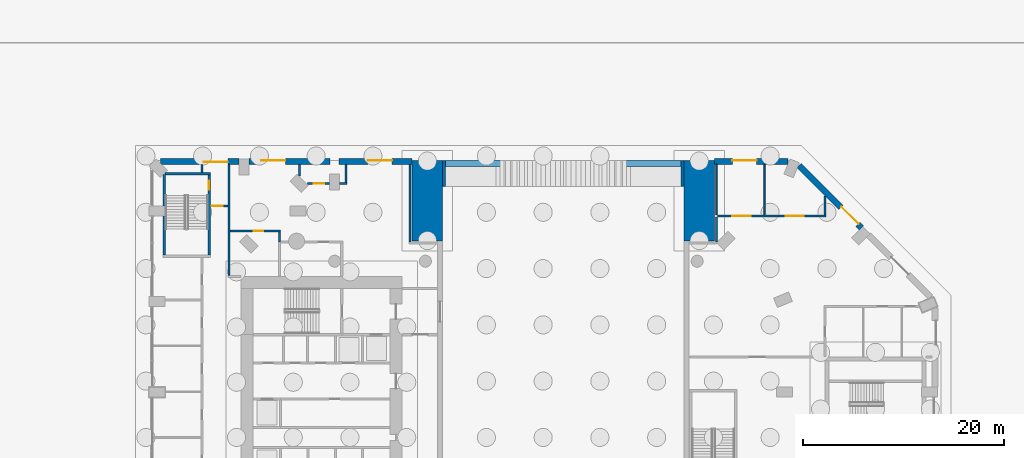
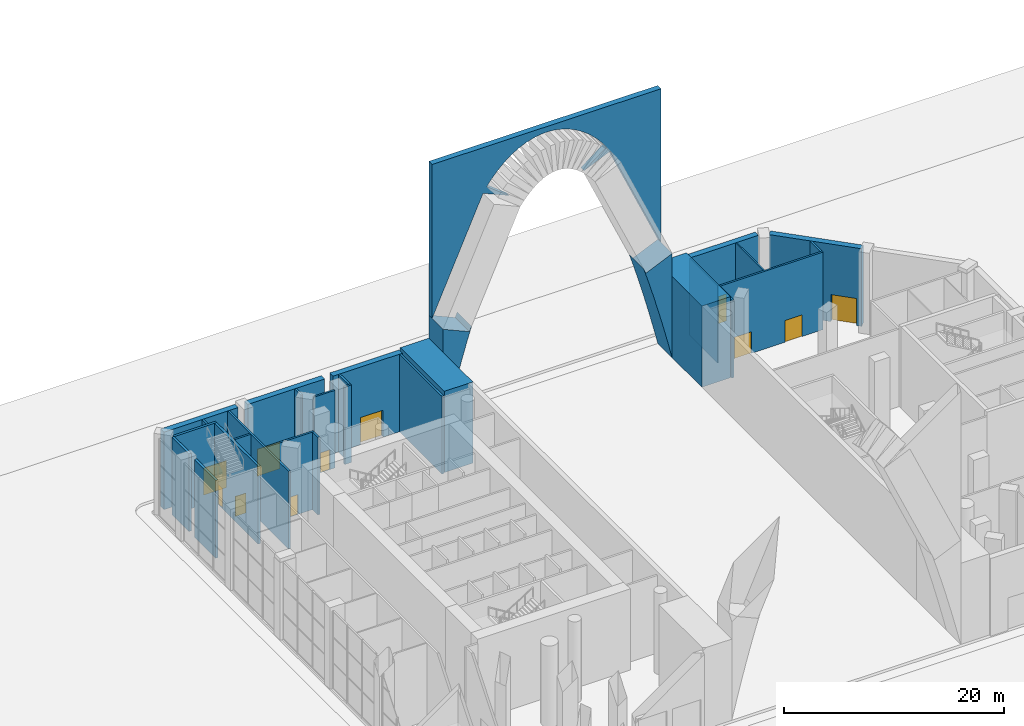
# One storey, part 14 of 25: 29 walls, 11 doors, 11 openings.
"""IFC4 building model written with IfcOpenShell, lengths in metres."""

from ifc_helpers import new_model, si_unit, direction, frame, frame_2d, origin, place, context, subcontext, project, spatial, polyline, rectangle, outline, extrude, material, layer, layer_set, type_object, element, fill, save


model = new_model("IFC4")

# Units and contexts
model_context = context("Model", 3, precision=1e-05, world=origin(), true_north=direction((0.0, 1.0)))
body_context = subcontext(model_context, "Body", "Model", "MODEL_VIEW")
ifc_project = project(units=[si_unit("LENGTHUNIT", "METRE"), si_unit("AREAUNIT", "SQUARE_METRE"), si_unit("VOLUMEUNIT", "CUBIC_METRE"), si_unit("PLANEANGLEUNIT", "RADIAN"), si_unit("MASSUNIT", "GRAM", prefix="KILO")], contexts=[model_context])

# Site, building, storey
site_placement = place(None, origin())
site = spatial("IfcSite", under=ifc_project, at=site_placement, CompositionType="ELEMENT")
building_placement = place(site_placement, origin())
building = spatial("IfcBuilding", under=site, at=building_placement, Name="Cypress Arch Tower", CompositionType="ELEMENT")
storey_placement = place(building_placement, origin())
storey = spatial("IfcBuildingStorey", under=building, at=storey_placement, Name="L00", CompositionType="ELEMENT", Elevation=0.0)

# Walls
ifc_material_1 = material(Name="Concrete C40/50", Category="concrete")
ifc_layer_1 = layer(ifc_material_1, 0.60009765625)
ifc_layer_set_1 = layer_set([ifc_layer_1], Name="Arch spandrel wall 600 Concrete C40/50")
wall_type_1 = type_object("IfcWallType", Name="Arch spandrel wall 600 Concrete C40/50", PredefinedType="SOLIDWALL", material=ifc_layer_set_1)
wall_1_placement = place(storey_placement, frame((-10.0, 27.199951171875, 0.0), z_axis=(0.0, 0.0, 1.0), x_axis=(1.0, 0.0, 0.0)))
element("IfcWall", 1, at=wall_1_placement, inside=storey, type_object=wall_type_1, Name="Gate arch spandrel wall N", PredefinedType="SOLIDWALL", context=body_context, shape_type="SweptSolid", body=[
    extrude(outline(polyline([(24.0, 11.55322265625), (18.6611328125, 23.54345703125), (15.9189453125, 22.32568359375), (18.263916015625, 24.130859375), (17.8818359375, 24.696044921875), (17.248046875, 25.42236328125), (16.574951171875, 26.079345703125), (16.34521484375, 26.27783203125), (15.850341796875, 26.6640625), (15.061279296875, 27.167236328125), (14.19775390625, 27.572509765625), (13.2587890625, 27.853759765625), (12.75732421875, 27.93994140625), (12.26171875, 27.98291015625), (11.73828125, 27.98291015625), (11.24267578125, 27.93994140625), (10.7412109375, 27.853759765625), (9.80224609375, 27.572509765625), (8.938720703125, 27.167236328125), (8.149658203125, 26.6640625), (7.65478515625, 26.27783203125), (7.425048828125, 26.079345703125), (6.751953125, 25.42236328125), (6.1181640625, 24.696044921875), (5.736083984375, 24.130859375), (8.0810546875, 22.32568359375), (5.3388671875, 23.54345703125), (0.0, 11.55322265625), (0.0, 28.60009765625), (24.0, 28.60009765625), (24.0, 11.55322265625)])), frame((0.0, 0.300048828125, 0.0), z_axis=(0.0, -1.0, 0.0), x_axis=(1.0, 0.0, 0.0)), (0.0, 0.0, 1.0), 0.60009765625),
])
ifc_material_2 = material(Name="Concrete C80/95", Category="concrete")
ifc_layer_2 = layer(ifc_material_2, 2.60009765625)
ifc_layer_set_2 = layer_set([ifc_layer_2], Name="Arch springer wall 2600 Concrete C80/95")
wall_type_2 = type_object("IfcWallType", Name="Arch springer wall 2600 Concrete C80/95", PredefinedType="SOLIDWALL", material=ifc_layer_set_2)
wall_2_placement = place(storey_placement, frame((-10.0, 26.199951171875, 0.0), z_axis=(0.0, 0.0, 1.0), x_axis=(1.0, 0.0, 0.0)))
element("IfcWall", 2, at=wall_2_placement, inside=storey, type_object=wall_type_2, Name="Gate arch springer wall NW", PredefinedType="SOLIDWALL", context=body_context, shape_type="SweptSolid", body=[
    extrude(outline(polyline([(2.5, 9.33154296875), (2.0, 7.638916015625), (1.5, 5.859375), (1.0, 3.9931640625), (0.5, 2.0400390625), (0.0, 0.0), (0.0, 11.55322265625), (2.740478515625, 10.3330078125), (2.977294921875, 10.864501953125), (2.5, 9.33154296875)])), frame((0.0, 1.300048828125, 0.0), z_axis=(0.0, -1.0, 0.0), x_axis=(1.0, 0.0, 0.0)), (0.0, 0.0, 1.0), 2.60009765625),
])
wall_3_placement = place(storey_placement, frame((-10.0, 26.199951171875, 0.0), z_axis=(0.0, 0.0, 1.0), x_axis=(1.0, 0.0, 0.0)))
element("IfcWall", 3, at=wall_3_placement, inside=storey, type_object=wall_type_2, Name="Gate arch springer wall NE", PredefinedType="SOLIDWALL", context=body_context, shape_type="SweptSolid", body=[
    extrude(outline(polyline([(24.0, 0.0), (23.5, 2.0400390625), (23.0, 3.9931640625), (22.5, 5.859375), (22.0, 7.638916015625), (21.5, 9.33154296875), (21.022705078125, 10.864501953125), (21.259521484375, 10.3330078125), (24.0, 11.55322265625), (24.0, 0.0)])), frame((0.0, 1.300048828125, 0.0), z_axis=(0.0, -1.0, 0.0), x_axis=(1.0, 0.0, 0.0)), (0.0, 0.0, 1.0), 2.60009765625),
])

# Wall, opening, door
ifc_material_3 = material(Name="Brick (red buff blend) on blockwork backing", Category="masonry")
ifc_layer_3 = layer(ifc_material_3, 0.60009765625)
ifc_layer_set_3 = layer_set([ifc_layer_3], Name="Brick base wall BW600")
wall_type_3 = type_object("IfcWallType", Name="Brick base wall BW600", PredefinedType="ELEMENTEDWALL", material=ifc_layer_set_3)
wall_4_placement = place(storey_placement, frame((31.593505859375, 20.800537109375, 0.0), z_axis=(0.0, 0.0, 1.0), x_axis=(-0.707120757424, 0.707092804673, 0.0)))
wall_4 = element("IfcWall", 4, at=wall_4_placement, inside=storey, type_object=wall_type_3, Name="Brick wall L00 P02.1", PredefinedType="ELEMENTEDWALL", context=body_context, shape_type="SweptSolid", body=[
    extrude(rectangle(XDim=8.734130859375, YDim=0.60009765625, at=frame_2d((4.3671875, 0.0))), origin(), (0.0, 0.0, 1.0), 8.60009765625),
])
opening_1_placement = place(wall_4_placement, frame((0.491943359375, 0.0, 0.0)))
opening_1 = element("IfcOpeningElement", 5, at=opening_1_placement, cuts=wall_4, Name="Opening DE2400", PredefinedType="OPENING", context=body_context, shape_type="SweptSolid", body=[
    extrude(rectangle(XDim=2.39990234375, YDim=3.0, at=frame_2d((1.199951171875, 1.5))), frame((0.0, 0.31005859375, 0.0), z_axis=(0.0, -1.0, 0.0), x_axis=(1.0, 0.0, 0.0)), (0.0, 0.0, 1.0), 0.6201171875),
])
ifc_material_4 = material(Name="Anodised aluminium, bronze finish, clear low-emissivity double glazing", Category="aluminium")
door_type_1 = type_object("IfcDoorType", Name="Entrance door double 2400x3000", OperationType="DOUBLE_DOOR_SINGLE_SWING", PredefinedType="DOOR", material=ifc_material_4)
door_1_placement = place(opening_1_placement, origin())
door_1 = element("IfcDoor", 6, at=door_1_placement, inside=storey, type_object=door_type_1, Name="Exterior door L00 P02.1.1", OperationType="DOUBLE_DOOR_SINGLE_SWING", OverallHeight=3.0, OverallWidth=2.39990234375, PredefinedType="DOOR", context=body_context, shape_type="SweptSolid", body=[
    extrude(rectangle(XDim=2.39990234375, YDim=3.0, at=frame_2d((1.199951171875, 1.5))), frame((0.0, -0.0498046875, 0.0), z_axis=(0.0, -1.0, 0.0), x_axis=(1.0, 0.0, 0.0)), (0.0, 0.0, 1.0), 0.050048828125),
])
fill(opening_1, door_1)

wall_5_placement = place(storey_placement, frame((24.33447265625, 27.425048828125, 0.0), z_axis=(0.0, 0.0, 1.0), x_axis=(-1.0, 0.0, 0.0)))
wall_5 = element("IfcWall", 7, at=wall_5_placement, inside=storey, type_object=wall_type_3, Name="Brick wall L00 P03.0", PredefinedType="ELEMENTEDWALL", context=body_context, shape_type="SweptSolid", body=[
    extrude(rectangle(XDim=7.33447265625, YDim=0.60009765625, at=frame_2d((3.667236328125, 0.0))), origin(), (0.0, 0.0, 1.0), 8.60009765625),
])
opening_2_placement = place(wall_5_placement, frame((3.134521484375, 0.0, 0.0)))
opening_2 = element("IfcOpeningElement", 8, at=opening_2_placement, cuts=wall_5, Name="Opening DE2400", PredefinedType="OPENING", context=body_context, shape_type="SweptSolid", body=[
    extrude(rectangle(XDim=2.39990234375, YDim=3.0, at=frame_2d((1.199951171875, 1.5))), frame((0.0, 0.31005859375, 0.0), z_axis=(0.0, -1.0, 0.0), x_axis=(1.0, 0.0, 0.0)), (0.0, 0.0, 1.0), 0.6201171875),
])
door_2_placement = place(opening_2_placement, origin())
door_2 = element("IfcDoor", 9, at=door_2_placement, inside=storey, type_object=door_type_1, Name="Exterior door L00 P03.0.1", OperationType="DOUBLE_DOOR_SINGLE_SWING", OverallHeight=3.0, OverallWidth=2.39990234375, PredefinedType="DOOR", context=body_context, shape_type="SweptSolid", body=[
    extrude(rectangle(XDim=2.39990234375, YDim=3.0, at=frame_2d((1.199951171875, 1.5))), frame((0.0, -0.0498046875, 0.0), z_axis=(0.0, -1.0, 0.0), x_axis=(1.0, 0.0, 0.0)), (0.0, 0.0, 1.0), 0.050048828125),
])
fill(opening_2, door_2)

wall_6_placement = place(storey_placement, frame((-13.0, 27.425048828125, 0.0), z_axis=(0.0, 0.0, 1.0), x_axis=(-1.0, 0.0, 0.0)))
wall_6 = element("IfcWall", 10, at=wall_6_placement, inside=storey, type_object=wall_type_3, Name="Brick wall L00 P03.0p1", PredefinedType="ELEMENTEDWALL", context=body_context, shape_type="SweptSolid", body=[
    extrude(rectangle(XDim=7.25, YDim=0.60009765625, at=frame_2d((3.625, 0.0))), origin(), (0.0, 0.0, 1.0), 8.60009765625),
])
opening_3_placement = place(wall_6_placement, frame((2.0, 0.0, 0.0)))
opening_3 = element("IfcOpeningElement", 11, at=opening_3_placement, cuts=wall_6, Name="Opening DE2400", PredefinedType="OPENING", context=body_context, shape_type="SweptSolid", body=[
    extrude(rectangle(XDim=2.39990234375, YDim=3.0, at=frame_2d((1.199951171875, 1.5))), frame((0.0, 0.31005859375, 0.0), z_axis=(0.0, -1.0, 0.0), x_axis=(1.0, 0.0, 0.0)), (0.0, 0.0, 1.0), 0.6201171875),
])
door_3_placement = place(opening_3_placement, origin())
door_3 = element("IfcDoor", 12, at=door_3_placement, inside=storey, type_object=door_type_1, Name="Exterior door L00 P03.0p1.1", OperationType="DOUBLE_DOOR_SINGLE_SWING", OverallHeight=3.0, OverallWidth=2.39990234375, PredefinedType="DOOR", context=body_context, shape_type="SweptSolid", body=[
    extrude(rectangle(XDim=2.39990234375, YDim=3.0, at=frame_2d((1.199951171875, 1.5))), frame((0.0, -0.0498046875, 0.0), z_axis=(0.0, -1.0, 0.0), x_axis=(1.0, 0.0, 0.0)), (0.0, 0.0, 1.0), 0.050048828125),
])
fill(opening_3, door_3)

wall_7_placement = place(storey_placement, frame((-21.14990234375, 27.425048828125, 0.0), z_axis=(0.0, 0.0, 1.0), x_axis=(-1.0, 0.0, 0.0)))
wall_7 = element("IfcWall", 13, at=wall_7_placement, inside=storey, type_object=wall_type_3, Name="Brick wall L00 P03.1", PredefinedType="ELEMENTEDWALL", context=body_context, shape_type="SweptSolid", body=[
    extrude(rectangle(XDim=8.050048828125, YDim=0.60009765625, at=frame_2d((4.02490234375, 0.0))), origin(), (0.0, 0.0, 1.0), 8.60009765625),
])
opening_4_placement = place(wall_7_placement, frame((4.449951171875, 0.0, 0.0)))
opening_4 = element("IfcOpeningElement", 14, at=opening_4_placement, cuts=wall_7, Name="Opening DE2400", PredefinedType="OPENING", context=body_context, shape_type="SweptSolid", body=[
    extrude(rectangle(XDim=2.39990234375, YDim=3.0, at=frame_2d((1.199951171875, 1.5))), frame((0.0, 0.31005859375, 0.0), z_axis=(0.0, -1.0, 0.0), x_axis=(1.0, 0.0, 0.0)), (0.0, 0.0, 1.0), 0.6201171875),
])
door_4_placement = place(opening_4_placement, origin())
door_4 = element("IfcDoor", 15, at=door_4_placement, inside=storey, type_object=door_type_1, Name="Exterior door L00 P03.1.1", OperationType="DOUBLE_DOOR_SINGLE_SWING", OverallHeight=3.0, OverallWidth=2.39990234375, PredefinedType="DOOR", context=body_context, shape_type="SweptSolid", body=[
    extrude(rectangle(XDim=2.39990234375, YDim=3.0, at=frame_2d((1.199951171875, 1.5))), frame((0.0, -0.0498046875, 0.0), z_axis=(0.0, -1.0, 0.0), x_axis=(1.0, 0.0, 0.0)), (0.0, 0.0, 1.0), 0.050048828125),
])
fill(opening_4, door_4)

wall_8_placement = place(storey_placement, frame((-37.992919921875, 27.425048828125, 0.0), z_axis=(0.0, 0.0, 1.0), x_axis=(1.0, 0.0, 0.0)))
wall_8 = element("IfcWall", 16, at=wall_8_placement, inside=storey, type_object=wall_type_3, Name="Brick wall L00 P03.2", PredefinedType="ELEMENTEDWALL", context=body_context, shape_type="SweptSolid", body=[
    extrude(rectangle(XDim=7.79296875, YDim=0.60009765625, at=frame_2d((3.896484375, 0.0))), origin(), (0.0, 0.0, 1.0), 8.60009765625),
])
opening_5_placement = place(wall_8_placement, frame((4.29296875, 0.0, 0.0)))
opening_5 = element("IfcOpeningElement", 17, at=opening_5_placement, cuts=wall_8, Name="Opening DE2400", PredefinedType="OPENING", context=body_context, shape_type="SweptSolid", body=[
    extrude(rectangle(XDim=2.39990234375, YDim=3.0, at=frame_2d((1.199951171875, 1.5))), frame((0.0, 0.31005859375, 0.0), z_axis=(0.0, -1.0, 0.0), x_axis=(1.0, 0.0, 0.0)), (0.0, 0.0, 1.0), 0.6201171875),
])
door_5_placement = place(opening_5_placement, origin())
door_5 = element("IfcDoor", 18, at=door_5_placement, inside=storey, type_object=door_type_1, Name="Exterior door L00 P03.2.1", OperationType="DOUBLE_DOOR_SINGLE_SWING", OverallHeight=3.0, OverallWidth=2.39990234375, PredefinedType="DOOR", context=body_context, shape_type="SweptSolid", body=[
    extrude(rectangle(XDim=2.39990234375, YDim=3.0, at=frame_2d((1.199951171875, 1.5))), frame((0.0, -0.0498046875, 0.0), z_axis=(0.0, -1.0, 0.0), x_axis=(1.0, 0.0, 0.0)), (0.0, 0.0, 1.0), 0.050048828125),
])
fill(opening_5, door_5)

# Wall
ifc_material_5 = material(Name="Concrete blockwork, plastered, rated", Category="masonry")
ifc_layer_4 = layer(ifc_material_5, 0.199951171875)
ifc_layer_set_4 = layer_set([ifc_layer_4], Name="Corridor wall FW200")
wall_type_4 = type_object("IfcWallType", Name="Corridor wall FW200", PredefinedType="PARTITIONING", material=ifc_layer_set_4)
wall_9_placement = place(storey_placement, frame((-33.89990234375, 26.300048828125, 0.0), z_axis=(0.0, 0.0, 1.0), x_axis=(0.0, 1.0, 0.0)))
element("IfcWall", 19, at=wall_9_placement, inside=storey, type_object=wall_type_4, Name="Corridor wall", PredefinedType="PARTITIONING", context=body_context, shape_type="SweptSolid", body=[
    extrude(rectangle(XDim=0.824951171875, YDim=0.199951171875, at=frame_2d((0.41259765625, 0.0))), origin(), (0.0, 0.0, 1.0), 8.597900390625),
])

# Wall, opening, door
wall_10_placement = place(storey_placement, frame((-33.050048828125, 23.0, 0.0), z_axis=(0.0, 0.0, 1.0), x_axis=(1.0, 0.0, 0.0)))
wall_10 = element("IfcWall", 20, at=wall_10_placement, inside=storey, type_object=wall_type_4, Name="Corridor wall", PredefinedType="PARTITIONING", context=body_context, shape_type="SweptSolid", body=[
    extrude(rectangle(XDim=1.75, YDim=0.199951171875, at=frame_2d((0.875, 0.0))), origin(), (0.0, 0.0, 1.0), 8.597900390625),
])
opening_6_placement = place(wall_10_placement, frame((0.14990234375, 0.0, 0.0)))
opening_6 = element("IfcOpeningElement", 21, at=opening_6_placement, cuts=wall_10, Name="Opening D06", PredefinedType="OPENING", context=body_context, shape_type="SweptSolid", body=[
    extrude(rectangle(XDim=1.10009765625, YDim=2.199951171875, at=frame_2d((0.550048828125, 1.10009765625))), frame((0.0, 0.10986328125, 0.0), z_axis=(0.0, -1.0, 0.0), x_axis=(1.0, 0.0, 0.0)), (0.0, 0.0, 1.0), 0.219970703125),
])
ifc_material_6 = material(Name="Steel door, fire resisting, panic bar", Category="steel")
door_type_2 = type_object("IfcDoorType", Name="Stair door D06 1100x2200", OperationType="SINGLE_SWING_LEFT", PredefinedType="DOOR", material=ifc_material_6)
door_6_placement = place(opening_6_placement, origin())
door_6 = element("IfcDoor", 22, at=door_6_placement, inside=storey, type_object=door_type_2, Name="Stair door", OperationType="SINGLE_SWING_RIGHT", OverallHeight=2.199951171875, OverallWidth=1.10009765625, PredefinedType="DOOR", context=body_context, shape_type="SweptSolid", body=[
    extrude(rectangle(XDim=1.10009765625, YDim=2.199951171875, at=frame_2d((0.550048828125, 1.10009765625))), frame((0.0, 0.02490234375, 0.0), z_axis=(0.0, -1.0, 0.0), x_axis=(1.0, 0.0, 0.0)), (0.0, 0.0, 1.0), 0.050048828125),
])
fill(opening_6, door_6)

# Wall
wall_11_placement = place(storey_placement, frame((-31.199951171875, 16.10009765625, 0.0), z_axis=(0.0, 0.0, 1.0), x_axis=(0.0, 1.0, 0.0)))
element("IfcWall", 23, at=wall_11_placement, inside=storey, type_object=wall_type_4, Name="Corridor wall", PredefinedType="PARTITIONING", context=body_context, shape_type="SweptSolid", body=[
    extrude(rectangle(XDim=11.02490234375, YDim=0.199951171875, at=frame_2d((5.512451171875, 0.0))), origin(), (0.0, 0.0, 1.0), 8.597900390625),
])

# Wall, opening, door
wall_12_placement = place(storey_placement, frame((-31.10009765625, 20.5, 0.0), z_axis=(0.0, 0.0, 1.0), x_axis=(1.0, 0.0, 0.0)))
wall_12 = element("IfcWall", 24, at=wall_12_placement, inside=storey, type_object=wall_type_4, Name="Corridor wall", PredefinedType="PARTITIONING", context=body_context, shape_type="SweptSolid", body=[
    extrude(rectangle(XDim=5.0, YDim=0.199951171875, at=frame_2d((2.5, 0.0))), origin(), (0.0, 0.0, 1.0), 8.597900390625),
])
opening_7_placement = place(wall_12_placement, frame((2.35009765625, 0.0, 0.0)))
opening_7 = element("IfcOpeningElement", 25, at=opening_7_placement, cuts=wall_12, Name="Opening D02", PredefinedType="OPENING", context=body_context, shape_type="SweptSolid", body=[
    extrude(rectangle(XDim=0.949951171875, YDim=2.199951171875, at=frame_2d((0.47509765625, 1.10009765625))), frame((0.0, 0.10986328125, 0.0), z_axis=(0.0, -1.0, 0.0), x_axis=(1.0, 0.0, 0.0)), (0.0, 0.0, 1.0), 0.219970703125),
])
ifc_material_7 = material(Name="Timber flush door, fire resisting", Category="wood")
door_type_3 = type_object("IfcDoorType", Name="Room door D02 950x2200", OperationType="SINGLE_SWING_LEFT", PredefinedType="DOOR", material=ifc_material_7)
door_7_placement = place(opening_7_placement, origin())
door_7 = element("IfcDoor", 26, at=door_7_placement, inside=storey, type_object=door_type_3, Name="Room door", OperationType="SINGLE_SWING_LEFT", OverallHeight=2.199951171875, OverallWidth=0.949951171875, PredefinedType="DOOR", context=body_context, shape_type="SweptSolid", body=[
    extrude(rectangle(XDim=0.949951171875, YDim=2.199951171875, at=frame_2d((0.47509765625, 1.10009765625))), frame((0.0, 0.02490234375, 0.0), z_axis=(0.0, -1.0, 0.0), x_axis=(1.0, 0.0, 0.0)), (0.0, 0.0, 1.0), 0.050048828125),
])
fill(opening_7, door_7)

# Walls
wall_13_placement = place(storey_placement, frame((-26.199951171875, 19.419921875, 0.0), z_axis=(0.0, 0.0, 1.0), x_axis=(0.0, 1.0, 0.0)))
element("IfcWall", 27, at=wall_13_placement, inside=storey, type_object=wall_type_4, Name="Corridor wall", PredefinedType="PARTITIONING", context=body_context, shape_type="SweptSolid", body=[
    extrude(rectangle(XDim=0.97998046875, YDim=0.199951171875, at=frame_2d((0.489990234375, 0.0))), origin(), (0.0, 0.0, 1.0), 8.597900390625),
])
wall_14_placement = place(storey_placement, frame((-24.199951171875, 25.987060546875, 0.0), z_axis=(0.0, 0.0, 1.0), x_axis=(0.0, 1.0, 0.0)))
element("IfcWall", 28, at=wall_14_placement, inside=storey, type_object=wall_type_4, Name="Corridor wall", PredefinedType="PARTITIONING", context=body_context, shape_type="SweptSolid", body=[
    extrude(rectangle(XDim=1.137939453125, YDim=0.199951171875, at=frame_2d((0.56884765625, 0.0))), origin(), (0.0, 0.0, 1.0), 8.597900390625),
])

# Wall, opening, door
wall_15_placement = place(storey_placement, frame((-23.412841796875, 25.199951171875, 0.0), z_axis=(0.0, 0.0, 1.0), x_axis=(1.0, 0.0, 0.0)))
wall_15 = element("IfcWall", 29, at=wall_15_placement, inside=storey, type_object=wall_type_4, Name="Corridor wall", PredefinedType="PARTITIONING", context=body_context, shape_type="SweptSolid", body=[
    extrude(rectangle(XDim=2.212890625, YDim=0.199951171875, at=frame_2d((1.1064453125, 0.0))), origin(), (0.0, 0.0, 1.0), 8.597900390625),
])
opening_8_placement = place(wall_15_placement, frame((0.64990234375, 0.0, 0.0)))
opening_8 = element("IfcOpeningElement", 30, at=opening_8_placement, cuts=wall_15, Name="Opening D14", PredefinedType="OPENING", context=body_context, shape_type="SweptSolid", body=[
    extrude(rectangle(XDim=1.0, YDim=2.199951171875, at=frame_2d((0.5, 1.10009765625))), frame((0.0, 0.10986328125, 0.0), z_axis=(0.0, -1.0, 0.0), x_axis=(1.0, 0.0, 0.0)), (0.0, 0.0, 1.0), 0.219970703125),
])
ifc_material_8 = material(Name="Timber flush door, fire resisting", Category="wood")
door_type_4 = type_object("IfcDoorType", Name="Room door D14 1000x2200", OperationType="SINGLE_SWING_LEFT", PredefinedType="DOOR", material=ifc_material_8)
door_8_placement = place(opening_8_placement, origin())
door_8 = element("IfcDoor", 31, at=door_8_placement, inside=storey, type_object=door_type_4, Name="Room door", OperationType="SINGLE_SWING_RIGHT", OverallHeight=2.199951171875, OverallWidth=1.0, PredefinedType="DOOR", context=body_context, shape_type="SweptSolid", body=[
    extrude(rectangle(XDim=1.0, YDim=2.199951171875, at=frame_2d((0.5, 1.10009765625))), frame((0.0, 0.02490234375, 0.0), z_axis=(0.0, -1.0, 0.0), x_axis=(1.0, 0.0, 0.0)), (0.0, 0.0, 1.0), 0.050048828125),
])
fill(opening_8, door_8)

# Walls
wall_16_placement = place(storey_placement, frame((-20.199951171875, 25.199951171875, 0.0), z_axis=(0.0, 0.0, 1.0), x_axis=(1.0, 0.0, 0.0)))
element("IfcWall", 32, at=wall_16_placement, inside=storey, type_object=wall_type_4, Name="Corridor wall", PredefinedType="PARTITIONING", context=body_context, shape_type="SweptSolid", body=[
    extrude(rectangle(XDim=0.699951171875, YDim=0.199951171875, at=frame_2d((0.35009765625, 0.0))), origin(), (0.0, 0.0, 1.0), 8.597900390625),
])
wall_17_placement = place(storey_placement, frame((-19.60009765625, 25.300048828125, 0.0), z_axis=(0.0, 0.0, 1.0), x_axis=(0.0, 1.0, 0.0)))
element("IfcWall", 33, at=wall_17_placement, inside=storey, type_object=wall_type_4, Name="Corridor wall", PredefinedType="PARTITIONING", context=body_context, shape_type="SweptSolid", body=[
    extrude(rectangle(XDim=1.824951171875, YDim=0.199951171875, at=frame_2d((0.91259765625, 0.0))), origin(), (0.0, 0.0, 1.0), 8.597900390625),
])
wall_18_placement = place(storey_placement, frame((-13.199951171875, 19.40087890625, 0.0), z_axis=(0.0, 0.0, 1.0), x_axis=(0.0, 1.0, 0.0)))
element("IfcWall", 34, at=wall_18_placement, inside=storey, type_object=wall_type_4, Name="Corridor wall", PredefinedType="PARTITIONING", context=body_context, shape_type="SweptSolid", body=[
    extrude(rectangle(XDim=7.72412109375, YDim=0.199951171875, at=frame_2d((3.862060546875, 0.0))), origin(), (0.0, 0.0, 1.0), 8.597900390625),
])
wall_19_placement = place(storey_placement, frame((17.199951171875, 19.39990234375, 0.0), z_axis=(0.0, 0.0, 1.0), x_axis=(0.0, 1.0, 0.0)))
element("IfcWall", 35, at=wall_19_placement, inside=storey, type_object=wall_type_4, Name="Corridor wall", PredefinedType="PARTITIONING", context=body_context, shape_type="SweptSolid", body=[
    extrude(rectangle(XDim=2.47998046875, YDim=0.199951171875, at=frame_2d((1.239990234375, 0.0))), origin(), (0.0, 0.0, 1.0), 8.597900390625),
])

# Wall, openings, doors
wall_20_placement = place(storey_placement, frame((17.300048828125, 22.0, 0.0), z_axis=(0.0, 0.0, 1.0), x_axis=(1.0, 0.0, 0.0)))
wall_20 = element("IfcWall", 36, at=wall_20_placement, inside=storey, type_object=wall_type_4, Name="Corridor wall", PredefinedType="PARTITIONING", context=body_context, shape_type="SweptSolid", body=[
    extrude(rectangle(XDim=10.800048828125, YDim=0.199951171875, at=frame_2d((5.39990234375, 0.0))), origin(), (0.0, 0.0, 1.0), 8.597900390625),
])
opening_9_placement = place(wall_20_placement, frame((1.5, 0.0, 0.0)))
opening_9 = element("IfcOpeningElement", 37, at=opening_9_placement, cuts=wall_20, Name="Opening D11", PredefinedType="OPENING", context=body_context, shape_type="SweptSolid", body=[
    extrude(rectangle(XDim=1.800048828125, YDim=2.39990234375, at=frame_2d((0.89990234375, 1.199951171875))), frame((0.0, 0.10986328125, 0.0), z_axis=(0.0, -1.0, 0.0), x_axis=(1.0, 0.0, 0.0)), (0.0, 0.0, 1.0), 0.219970703125),
])
opening_10_placement = place(wall_20_placement, frame((6.800048828125, 0.0, 0.0)))
opening_10 = element("IfcOpeningElement", 38, at=opening_10_placement, cuts=wall_20, Name="Opening D11", PredefinedType="OPENING", context=body_context, shape_type="SweptSolid", body=[
    extrude(rectangle(XDim=1.800048828125, YDim=2.39990234375, at=frame_2d((0.89990234375, 1.199951171875))), frame((0.0, 0.10986328125, 0.0), z_axis=(0.0, -1.0, 0.0), x_axis=(1.0, 0.0, 0.0)), (0.0, 0.0, 1.0), 0.219970703125),
])
ifc_material_9 = material(Name="Glazed aluminium door", Category="aluminium")
door_type_5 = type_object("IfcDoorType", Name="Shopfront door D11 1800x2400", OperationType="DOUBLE_DOOR_SINGLE_SWING", PredefinedType="DOOR", material=ifc_material_9)
door_9_placement = place(opening_9_placement, origin())
door_9 = element("IfcDoor", 39, at=door_9_placement, inside=storey, type_object=door_type_5, Name="Shopfront door", OperationType="DOUBLE_DOOR_SINGLE_SWING", OverallHeight=2.39990234375, OverallWidth=1.800048828125, PredefinedType="DOOR", context=body_context, shape_type="SweptSolid", body=[
    extrude(rectangle(XDim=1.800048828125, YDim=2.39990234375, at=frame_2d((0.89990234375, 1.199951171875))), frame((0.0, 0.02490234375, 0.0), z_axis=(0.0, -1.0, 0.0), x_axis=(1.0, 0.0, 0.0)), (0.0, 0.0, 1.0), 0.050048828125),
])
fill(opening_9, door_9)
door_10_placement = place(opening_10_placement, origin())
door_10 = element("IfcDoor", 40, at=door_10_placement, inside=storey, type_object=door_type_5, Name="Shopfront door", OperationType="DOUBLE_DOOR_SINGLE_SWING", OverallHeight=2.39990234375, OverallWidth=1.800048828125, PredefinedType="DOOR", context=body_context, shape_type="SweptSolid", body=[
    extrude(rectangle(XDim=1.800048828125, YDim=2.39990234375, at=frame_2d((0.89990234375, 1.199951171875))), frame((0.0, 0.02490234375, 0.0), z_axis=(0.0, -1.0, 0.0), x_axis=(1.0, 0.0, 0.0)), (0.0, 0.0, 1.0), 0.050048828125),
])
fill(opening_10, door_10)

# Walls
wall_21_placement = place(storey_placement, frame((28.0, 22.10009765625, 0.0), z_axis=(0.0, 0.0, 1.0), x_axis=(0.0, 1.0, 0.0)))
element("IfcWall", 41, at=wall_21_placement, inside=storey, type_object=wall_type_4, Name="Corridor wall", PredefinedType="PARTITIONING", context=body_context, shape_type="SweptSolid", body=[
    extrude(rectangle(XDim=1.86962890625, YDim=0.199951171875, at=frame_2d((0.934814453125, 0.0))), origin(), (0.0, 0.0, 1.0), 8.597900390625),
])
ifc_material_10 = material(Name="Blockwork, plastered both sides", Category="masonry")
ifc_layer_5 = layer(ifc_material_10, 0.14990234375)
ifc_layer_set_5 = layer_set([ifc_layer_5], Name="Partition PW150")
wall_type_5 = type_object("IfcWallType", Name="Partition PW150", PredefinedType="PARTITIONING", material=ifc_layer_set_5)
wall_22_placement = place(storey_placement, frame((17.199951171875, 22.1201171875, 0.0), z_axis=(0.0, 0.0, 1.0), x_axis=(0.0, 1.0, 0.0)))
element("IfcWall", 42, at=wall_22_placement, inside=storey, type_object=wall_type_5, Name="Partition", PredefinedType="PARTITIONING", context=body_context, shape_type="SweptSolid", body=[
    extrude(rectangle(XDim=5.0048828125, YDim=0.14990234375, at=frame_2d((2.50244140625, 0.0))), origin(), (0.0, 0.0, 1.0), 8.597900390625),
])
wall_23_placement = place(storey_placement, frame((22.0, 22.10009765625, 0.0), z_axis=(0.0, 0.0, 1.0), x_axis=(0.0, 1.0, 0.0)))
element("IfcWall", 43, at=wall_23_placement, inside=storey, type_object=wall_type_5, Name="Partition", PredefinedType="PARTITIONING", context=body_context, shape_type="SweptSolid", body=[
    extrude(rectangle(XDim=5.02490234375, YDim=0.14990234375, at=frame_2d((2.512451171875, 0.0))), origin(), (0.0, 0.0, 1.0), 8.597900390625),
])
ifc_material_11 = material(Name="Concrete C80/95", Category="concrete")
ifc_layer_6 = layer(ifc_material_11, 3.0)
ifc_layer_set_6 = layer_set([ifc_layer_6], Name="Pier wall 3000 Concrete C80/95")
wall_type_6 = type_object("IfcWallType", Name="Pier wall 3000 Concrete C80/95", PredefinedType="SOLIDWALL", material=ifc_layer_set_6)
for number, where, z_axis, x_axis, name in (
    (44, (-11.5, 19.5, 0.0), (0.0, 0.0, 1.0), (0.0, 1.0, 0.0), "Gate pier wall PW-WN L00"),
    (45, (15.5, 19.5, 0.0), (0.0, 0.0, 1.0), (0.0, 1.0, 0.0), "Gate pier wall PW-EN L00"),
):
    element("IfcWall", number, at=place(storey_placement, frame(where, z_axis=z_axis, x_axis=x_axis)), inside=storey, type_object=wall_type_6, Name=name, PredefinedType="SOLIDWALL", context=body_context, shape_type="SweptSolid", body=[
        extrude(rectangle(XDim=8.0, YDim=3.0, at=frame_2d((4.0, 0.0))), origin(), (0.0, 0.0, 1.0), 9.0),
    ])
ifc_material_12 = material(Name="Concrete C50/60", Category="concrete")
ifc_layer_7 = layer(ifc_material_12, 0.25)
ifc_layer_set_7 = layer_set([ifc_layer_7], Name="Stair enclosure wall SW250")
wall_type_7 = type_object("IfcWallType", Name="Stair enclosure wall SW250", PredefinedType="SHEAR", material=ifc_layer_set_7)
wall_24_placement = place(storey_placement, frame((-37.625, 18.1298828125, 0.0), z_axis=(0.0, 0.0, 1.0), x_axis=(0.0, 1.0, 0.0)))
element("IfcWall", 46, at=wall_24_placement, inside=storey, type_object=wall_type_7, Name="Stair enclosure wall", PredefinedType="SHEAR", context=body_context, shape_type="SweptSolid", body=[
    extrude(rectangle(XDim=3.8701171875, YDim=0.25, at=frame_2d((1.93505859375, 0.0))), origin(), (0.0, 0.0, 1.0), 8.60009765625),
])
wall_25_placement = place(storey_placement, frame((-37.625, 23.0, 0.0), z_axis=(0.0, 0.0, 1.0), x_axis=(0.0, 1.0, 0.0)))
element("IfcWall", 47, at=wall_25_placement, inside=storey, type_object=wall_type_7, Name="Stair enclosure wall", PredefinedType="SHEAR", context=body_context, shape_type="SweptSolid", body=[
    extrude(rectangle(XDim=3.09521484375, YDim=0.25, at=frame_2d((1.547607421875, 0.0))), origin(), (0.0, 0.0, 1.0), 8.60009765625),
])
wall_26_placement = place(storey_placement, frame((-37.545166015625, 26.175048828125, 0.0), z_axis=(0.0, 0.0, 1.0), x_axis=(1.0, 0.0, 0.0)))
element("IfcWall", 48, at=wall_26_placement, inside=storey, type_object=wall_type_7, Name="Stair enclosure wall", PredefinedType="SHEAR", context=body_context, shape_type="SweptSolid", body=[
    extrude(rectangle(XDim=4.4951171875, YDim=0.25, at=frame_2d((2.24755859375, 0.0))), origin(), (0.0, 0.0, 1.0), 8.60009765625),
])

# Wall, opening, door
wall_27_placement = place(storey_placement, frame((-33.175048828125, 18.1298828125, 0.0), z_axis=(0.0, 0.0, 1.0), x_axis=(0.0, 1.0, 0.0)))
wall_27 = element("IfcWall", 49, at=wall_27_placement, inside=storey, type_object=wall_type_7, Name="Stair enclosure wall", PredefinedType="SHEAR", context=body_context, shape_type="SweptSolid", body=[
    extrude(rectangle(XDim=7.920166015625, YDim=0.25, at=frame_2d((3.9599609375, 0.0))), origin(), (0.0, 0.0, 1.0), 8.60009765625),
])
opening_11_placement = place(wall_27_placement, frame((6.449951171875, 0.0, 0.0)))
opening_11 = element("IfcOpeningElement", 50, at=opening_11_placement, cuts=wall_27, Name="Opening D15", PredefinedType="OPENING", context=body_context, shape_type="SweptSolid", body=[
    extrude(rectangle(XDim=0.89990234375, YDim=2.199951171875, at=frame_2d((0.449951171875, 1.10009765625))), frame((0.0, 0.135009765625, 0.0), z_axis=(0.0, -1.0, 0.0), x_axis=(1.0, 0.0, 0.0)), (0.0, 0.0, 1.0), 0.27001953125),
])
ifc_material_13 = material(Name="Steel door, fire resisting, panic bar", Category="steel")
door_type_6 = type_object("IfcDoorType", Name="Stair door D15 900x2200", OperationType="SINGLE_SWING_LEFT", PredefinedType="DOOR", material=ifc_material_13)
door_11_placement = place(opening_11_placement, origin())
door_11 = element("IfcDoor", 51, at=door_11_placement, inside=storey, type_object=door_type_6, Name="Stair door", OperationType="SINGLE_SWING_RIGHT", OverallHeight=2.199951171875, OverallWidth=0.89990234375, PredefinedType="DOOR", context=body_context, shape_type="SweptSolid", body=[
    extrude(rectangle(XDim=0.89990234375, YDim=2.199951171875, at=frame_2d((0.449951171875, 1.10009765625))), frame((0.0, 0.02490234375, 0.0), z_axis=(0.0, -1.0, 0.0), x_axis=(1.0, 0.0, 0.0)), (0.0, 0.0, 1.0), 0.050048828125),
])
fill(opening_11, door_11)

save(model, "model.ifc")
